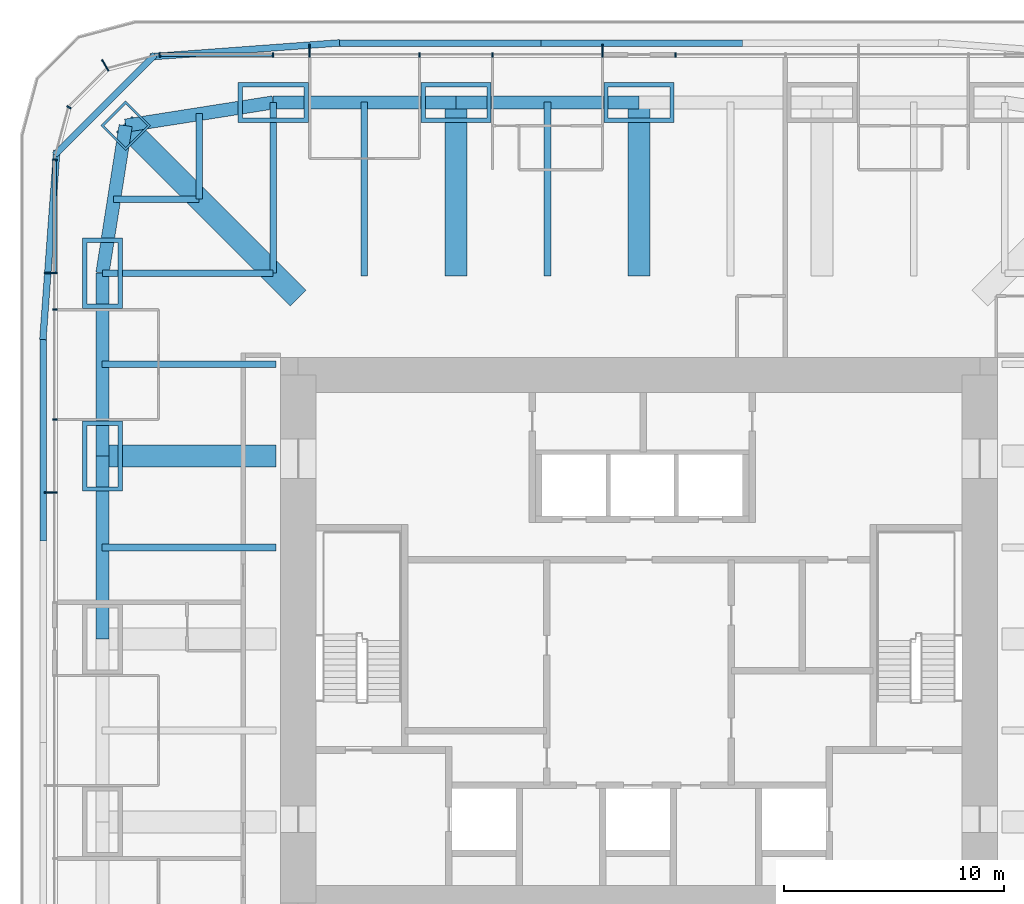
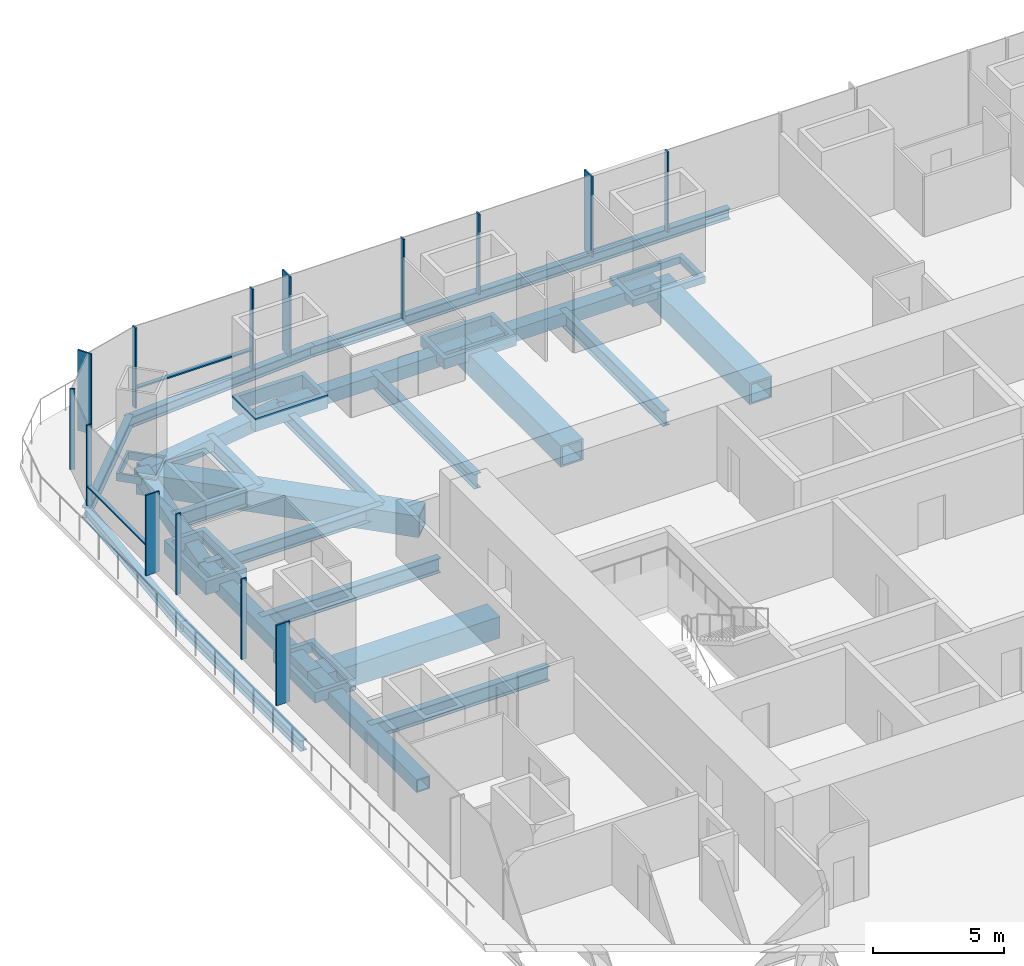
# One storey, part 5 of 15: 32 members, 14 beams, 3 elements without a shape of their own.
"""IFC4 building model written with IfcOpenShell, lengths in metres."""

from ifc_helpers import new_model, si_unit, direction, frame, origin, origin_2d, place, context, subcontext, project, spatial, rectangle, hollow_rectangle, i_section, extrude, material, material_profile, profile_set, type_object, element, aggregate, save


model = new_model("IFC4")

# Units and contexts
model_context = context("Model", 3, precision=1e-05, world=origin(), true_north=direction((0.0, 1.0)))
body_context = subcontext(model_context, "Body", "Model", "MODEL_VIEW")
ifc_project = project(units=[si_unit("LENGTHUNIT", "METRE"), si_unit("AREAUNIT", "SQUARE_METRE"), si_unit("VOLUMEUNIT", "CUBIC_METRE"), si_unit("PLANEANGLEUNIT", "RADIAN"), si_unit("MASSUNIT", "GRAM", prefix="KILO")], contexts=[model_context])

# Site, building, storey
site_placement = place(None, origin())
site = spatial("IfcSite", under=ifc_project, at=site_placement, CompositionType="ELEMENT")
building_placement = place(site_placement, origin())
building = spatial("IfcBuilding", under=site, at=building_placement, Name="Khuree Lantern Residences", CompositionType="ELEMENT")
storey_placement = place(building_placement, frame((0.0, 0.0, 199.5)))
storey = spatial("IfcBuildingStorey", under=building, at=storey_placement, Name="L49", CompositionType="ELEMENT", Elevation=199.5)

# Beams
ifc_material_1 = material(Name="Steel S355", Category="steel")
ifc_material_profile_1 = material_profile(ifc_material_1, i_section(OverallWidth=0.300048828125, OverallDepth=0.68994140625, WebThickness=0.014404296875, FlangeThickness=0.027099609375, FilletRadius=0.027099609375, at=origin_2d()), Name="HE 700 A")
ifc_profile_set_1 = profile_set([ifc_material_profile_1], Name="Steel S355")
beam_type_1 = type_object("IfcBeamType", Name="B-31 SECONDARY BEAM HE 700 A", PredefinedType="BEAM", material=ifc_profile_set_1)
for number, where, z_axis, x_axis, name in (
    (1, (-12.487548828125, 24.416015625, -0.594970703125), (0.0, -1.0, 0.0), (1.0, 0.0, 0.0), "Secondary beam N1"),
    (2, (-4.16259765625, 24.416015625, -0.594970703125), (0.0, -1.0, 0.0), (1.0, 0.0, 0.0), "Secondary beam N2"),
    (3, (-24.416015625, 4.16259765625, -0.594970703125), (1.0, 0.0, 0.0), (0.0, 1.0, 0.0), "Secondary beam W4"),
    (4, (-24.416015625, 12.487548828125, -0.594970703125), (1.0, 0.0, 0.0), (0.0, 1.0, 0.0), "Secondary beam W5"),
):
    element("IfcBeam", number, at=place(storey_placement, frame(where, z_axis=z_axis, x_axis=x_axis)), inside=storey, type_object=beam_type_1, Name=name, PredefinedType="BEAM", context=body_context, shape_type="SweptSolid", body=[
        extrude(i_section(OverallWidth=0.300048828125, OverallDepth=0.68994140625, WebThickness=0.014404296875, FlangeThickness=0.027099609375, FilletRadius=0.027099609375, at=origin_2d()), origin(), (0.0, 0.0, 1.0), 7.916015625),
    ])
for number, where, z_axis, x_axis, name in (
    (5, (-23.88818359375, 20.005126953125, -0.594970703125), (1.0, 0.0, 0.0), (0.0, 1.0, 0.0), "Secondary beam W6"),
    (6, (-20.005126953125, 23.88818359375, -0.594970703125), (0.0, -1.0, 0.0), (1.0, 0.0, 0.0), "Secondary beam N6"),
):
    element("IfcBeam", number, at=place(storey_placement, frame(where, z_axis=z_axis, x_axis=x_axis)), inside=storey, type_object=beam_type_1, Name=name, PredefinedType="BEAM", context=body_context, shape_type="SweptSolid", body=[
        extrude(i_section(OverallWidth=0.300048828125, OverallDepth=0.68994140625, WebThickness=0.014404296875, FlangeThickness=0.027099609375, FilletRadius=0.027099609375, at=origin_2d()), origin(), (0.0, 0.0, 1.0), 3.883056640625),
    ])

# Members
ifc_material_profile_2 = material_profile(ifc_material_1, hollow_rectangle(XDim=0.60009765625, YDim=0.60009765625, WallThickness=0.050048828125, at=origin_2d()), Name="WELDED BOX 600X600X50")
ifc_profile_set_2 = profile_set([ifc_material_profile_2], Name="Steel S355")
member_type_1 = type_object("IfcMemberType", Name="BT-49 BELT TRUSS CHORD WELDED BOX 600X600X50", PredefinedType="CHORD", material=ifc_profile_set_2)
member_1_placement = place(storey_placement, frame((-16.639892578125, 24.39990234375, -0.550048828125), z_axis=(1.0, 0.0, 0.0), x_axis=(0.0, 1.0, 0.0)))
element("IfcMember", 7, at=member_1_placement, inside=storey, type_object=member_type_1, Name="Belt truss chord N1", PredefinedType="CHORD", context=body_context, shape_type="SweptSolid", body=[
    extrude(hollow_rectangle(XDim=0.60009765625, YDim=0.60009765625, WallThickness=0.050048828125, at=origin_2d()), origin(), (0.0, 0.0, 1.0), 8.31982421875),
])
for number, where, z_axis, x_axis, name in (
    (8, (-8.320068359375, 24.39990234375, -0.550048828125), (1.0, 0.0, 0.0), (0.0, 1.0, 0.0), "Belt truss chord N2"),
    (9, (-24.39990234375, 0.0, -0.550048828125), (0.0, 1.0, 0.0), (-1.0, 0.0, 0.0), "Belt truss chord W4"),
):
    element("IfcMember", number, at=place(storey_placement, frame(where, z_axis=z_axis, x_axis=x_axis)), inside=storey, type_object=member_type_1, Name=name, PredefinedType="CHORD", context=body_context, shape_type="SweptSolid", body=[
        extrude(hollow_rectangle(XDim=0.60009765625, YDim=0.60009765625, WallThickness=0.050048828125, at=origin_2d()), origin(), (0.0, 0.0, 1.0), 8.320068359375),
    ])
member_2_placement = place(storey_placement, frame((-24.39990234375, 8.320068359375, -0.550048828125), z_axis=(0.0, 1.0, 0.0), x_axis=(-1.0, 0.0, 0.0)))
element("IfcMember", 10, at=member_2_placement, inside=storey, type_object=member_type_1, Name="Belt truss chord W5", PredefinedType="CHORD", context=body_context, shape_type="SweptSolid", body=[
    extrude(hollow_rectangle(XDim=0.60009765625, YDim=0.60009765625, WallThickness=0.050048828125, at=origin_2d()), origin(), (0.0, 0.0, 1.0), 8.31982421875),
])
for number, where, z_axis, x_axis, name in (
    (11, (-24.39990234375, 16.639892578125, -0.550048828125), (0.155299507442, 0.98786743189, 0.0), (-0.98786743189, 0.155299507442, 0.0), "Belt truss chord W6"),
    (12, (-23.345703125, 23.345703125, -0.550048828125), (0.98786743189, 0.155299507442, 0.0), (-0.155299507442, 0.98786743189, 0.0), "Belt truss chord N6"),
):
    element("IfcMember", number, at=place(storey_placement, frame(where, z_axis=z_axis, x_axis=x_axis)), inside=storey, type_object=member_type_1, Name=name, PredefinedType="CHORD", context=body_context, shape_type="SweptSolid", body=[
        extrude(hollow_rectangle(XDim=0.60009765625, YDim=0.60009765625, WallThickness=0.050048828125, at=origin_2d()), origin(), (0.0, 0.0, 1.0), 6.7880859375),
    ])

# Curtain wall, members
ifc_material_2 = material(Name="Bronze anodised aluminium", Category="aluminium")
curtain_wall_type_1 = type_object("IfcCurtainWallType", Name="CW-T1 TOWER FACE CURTAIN WALL", PredefinedType="USERDEFINED", material=ifc_material_2)
curtain_wall_1_placement = place(storey_placement, origin())
curtain_wall_1 = element("IfcCurtainWall", 13, at=curtain_wall_1_placement, inside=storey, type_object=curtain_wall_type_1, Name="L49 NORTH FACE CURTAIN WALL", ObjectType="Stick-built curtain wall", PredefinedType="USERDEFINED")
ifc_material_profile_3 = material_profile(ifc_material_2, rectangle(XDim=0.06494140625, YDim=0.60009765625, at=origin_2d()), Name="F1 65X600")
ifc_profile_set_3 = profile_set([ifc_material_profile_3], Name="Bronze anodised aluminium")
member_type_2 = type_object("IfcMemberType", Name="F1 BRONZE FIN MULLION TOWER 65X600", PredefinedType="MULLION", material=ifc_profile_set_3)
member_3_placement = place(storey_placement, frame((-1.6640625, 26.75, 0.0), z_axis=(0.0, 0.0, 1.0), x_axis=(-1.0, 0.0, 0.0)))
member_3 = element("IfcMember", 14, at=member_3_placement, type_object=member_type_2, Name="L49 NORTH FACE FIN MULLION 24", PredefinedType="MULLION", context=body_context, shape_type="SweptSolid", body=[
    extrude(rectangle(XDim=0.06494140625, YDim=0.60009765625, at=origin_2d()), origin(), (0.0, 0.0, 1.0), 3.75),
])
member_4_placement = place(storey_placement, frame((-14.97607421875, 26.75, 0.0), z_axis=(0.0, 0.0, 1.0), x_axis=(-1.0, 0.0, 0.0)))
member_4 = element("IfcMember", 15, at=member_4_placement, type_object=member_type_2, Name="L49 NORTH FACE FIN MULLION 27", PredefinedType="MULLION", context=body_context, shape_type="SweptSolid", body=[
    extrude(rectangle(XDim=0.06494140625, YDim=0.60009765625, at=origin_2d()), origin(), (0.0, 0.0, 1.0), 3.75),
])

# Curtain wall, member
curtain_wall_type_2 = type_object("IfcCurtainWallType", Name="CW-T2 TOWER CORNER CURTAIN WALL", PredefinedType="USERDEFINED", material=ifc_material_2)
curtain_wall_2_placement = place(storey_placement, origin())
curtain_wall_2 = element("IfcCurtainWall", 16, at=curtain_wall_2_placement, inside=storey, type_object=curtain_wall_type_2, Name="L49 NORTH-WEST CORNER CURTAIN WALL", ObjectType="Faceted corner curtain wall", PredefinedType="USERDEFINED")
member_5_placement = place(storey_placement, frame((-24.27490234375, 26.0869140625, 0.0), z_axis=(0.0, 0.0, 1.0), x_axis=(-0.866025409797, -0.499999989586, 0.0)))
member_5 = element("IfcMember", 17, at=member_5_placement, type_object=member_type_2, Name="L49 NORTH-WEST CORNER FIN MULLION 30", PredefinedType="MULLION", context=body_context, shape_type="SweptSolid", body=[
    extrude(rectangle(XDim=0.06494140625, YDim=0.60009765625, at=origin_2d()), origin(), (0.0, 0.0, 1.0), 3.75),
])

# Curtain wall, members
curtain_wall_3_placement = place(storey_placement, origin())
curtain_wall_3 = element("IfcCurtainWall", 18, at=curtain_wall_3_placement, inside=storey, type_object=curtain_wall_type_1, Name="L49 WEST FACE CURTAIN WALL", ObjectType="Stick-built curtain wall", PredefinedType="USERDEFINED")
member_6_placement = place(storey_placement, frame((-26.75, 16.639892578125, 0.0), z_axis=(0.0, 0.0, 1.0), x_axis=(0.0, -1.0, 0.0)))
member_6 = element("IfcMember", 19, at=member_6_placement, type_object=member_type_2, Name="L49 WEST FACE FIN MULLION 33", PredefinedType="MULLION", context=body_context, shape_type="SweptSolid", body=[
    extrude(rectangle(XDim=0.06494140625, YDim=0.60009765625, at=origin_2d()), origin(), (0.0, 0.0, 1.0), 3.75),
])
member_7_placement = place(storey_placement, frame((-26.75, 6.656005859375, 0.0), z_axis=(0.0, 0.0, 1.0), x_axis=(0.0, -1.0, 0.0)))
member_7 = element("IfcMember", 20, at=member_7_placement, type_object=member_type_2, Name="L49 WEST FACE FIN MULLION 36", PredefinedType="MULLION", context=body_context, shape_type="SweptSolid", body=[
    extrude(rectangle(XDim=0.06494140625, YDim=0.60009765625, at=origin_2d()), origin(), (0.0, 0.0, 1.0), 3.75),
])

# Beams
ifc_material_profile_4 = material_profile(ifc_material_1, i_section(OverallWidth=0.300048828125, OverallDepth=0.60009765625, WebThickness=0.015380859375, FlangeThickness=0.030029296875, FilletRadius=0.027099609375, at=origin_2d()), Name="HE 600 B")
ifc_profile_set_4 = profile_set([ifc_material_profile_4], Name="Steel S355")
beam_type_2 = type_object("IfcBeamType", Name="G-31 GIRDER HE 600 B", PredefinedType="BEAM", material=ifc_profile_set_4)
for number, where, z_axis, x_axis, name in (
    (21, (-16.639892578125, 24.39990234375, -0.550048828125), (0.0, -1.0, 0.0), (1.0, 0.0, 0.0), "Girder N1"),
    (22, (-24.39990234375, 16.639892578125, -0.550048828125), (1.0, 0.0, 0.0), (0.0, 1.0, 0.0), "Girder W5"),
):
    element("IfcBeam", number, at=place(storey_placement, frame(where, z_axis=z_axis, x_axis=x_axis)), inside=storey, type_object=beam_type_2, Name=name, PredefinedType="BEAM", context=body_context, shape_type="SweptSolid", body=[
        extrude(i_section(OverallWidth=0.300048828125, OverallDepth=0.60009765625, WebThickness=0.015380859375, FlangeThickness=0.030029296875, FilletRadius=0.027099609375, at=origin_2d()), origin(), (0.0, 0.0, 1.0), 7.760009765625),
    ])

# Member
ifc_material_profile_5 = material_profile(ifc_material_2, rectangle(XDim=0.06494140625, YDim=0.219970703125, at=origin_2d()), Name="M1 65X220")
ifc_profile_set_5 = profile_set([ifc_material_profile_5], Name="Bronze anodised aluminium")
member_type_3 = type_object("IfcMemberType", Name="M1 BRONZE MULLION TOWER 65X220", PredefinedType="MULLION", material=ifc_profile_set_5)
member_8_placement = place(storey_placement, frame((1.6640625, 26.56005859375, 0.0), z_axis=(0.0, 0.0, 1.0), x_axis=(-1.0, 0.0, 0.0)))
member_8 = element("IfcMember", 23, at=member_8_placement, type_object=member_type_3, Name="L49 NORTH FACE MULLION 23", PredefinedType="MULLION", context=body_context, shape_type="SweptSolid", body=[
    extrude(rectangle(XDim=0.06494140625, YDim=0.219970703125, at=origin_2d()), origin(), (0.0, 0.0, 1.0), 3.75),
])

member_9_placement = place(storey_placement, frame((-6.656005859375, 26.56005859375, 0.0), z_axis=(0.0, 0.0, 1.0), x_axis=(-1.0, 0.0, 0.0)))
member_9 = element("IfcMember", 24, at=member_9_placement, type_object=member_type_3, Name="L49 NORTH FACE MULLION 25", PredefinedType="MULLION", context=body_context, shape_type="SweptSolid", body=[
    extrude(rectangle(XDim=0.06494140625, YDim=0.219970703125, at=origin_2d()), origin(), (0.0, 0.0, 1.0), 3.75),
])

member_10_placement = place(storey_placement, frame((-9.98388671875, 26.56005859375, 0.0), z_axis=(0.0, 0.0, 1.0), x_axis=(-1.0, 0.0, 0.0)))
member_10 = element("IfcMember", 25, at=member_10_placement, type_object=member_type_3, Name="L49 NORTH FACE MULLION 26", PredefinedType="MULLION", context=body_context, shape_type="SweptSolid", body=[
    extrude(rectangle(XDim=0.06494140625, YDim=0.219970703125, at=origin_2d()), origin(), (0.0, 0.0, 1.0), 3.75),
])

member_11_placement = place(storey_placement, frame((-16.639892578125, 26.56005859375, 0.0), z_axis=(0.0, 0.0, 1.0), x_axis=(-1.0, 0.0, 0.0)))
member_11 = element("IfcMember", 26, at=member_11_placement, type_object=member_type_3, Name="L49 NORTH FACE MULLION 28", PredefinedType="MULLION", context=body_context, shape_type="SweptSolid", body=[
    extrude(rectangle(XDim=0.06494140625, YDim=0.219970703125, at=origin_2d()), origin(), (0.0, 0.0, 1.0), 3.75),
])

member_12_placement = place(storey_placement, frame((-21.794921875, 26.561767578125, 0.0), z_axis=(0.0, 0.0, 1.0), x_axis=(-0.991444862943, -0.130526180298, 0.0)))
member_12 = element("IfcMember", 27, at=member_12_placement, type_object=member_type_3, Name="L49 NORTH-WEST CORNER MULLION 29", PredefinedType="MULLION", context=body_context, shape_type="SweptSolid", body=[
    extrude(rectangle(XDim=0.06494140625, YDim=0.219970703125, at=origin_2d()), origin(), (0.0, 0.0, 1.0), 3.75),
])

member_13_placement = place(storey_placement, frame((-25.92236328125, 24.179931640625, 0.0), z_axis=(0.0, 0.0, 1.0), x_axis=(-0.499999989586, -0.866025409797, 0.0)))
member_13 = element("IfcMember", 28, at=member_13_placement, type_object=member_type_3, Name="L49 NORTH-WEST CORNER MULLION 31", PredefinedType="MULLION", context=body_context, shape_type="SweptSolid", body=[
    extrude(rectangle(XDim=0.06494140625, YDim=0.219970703125, at=origin_2d()), origin(), (0.0, 0.0, 1.0), 3.75),
])

aggregate(curtain_wall_2, [member_12, member_5, member_13])

member_14_placement = place(storey_placement, frame((-26.561767578125, 21.794921875, 0.0), z_axis=(0.0, 0.0, 1.0), x_axis=(-0.130526180298, -0.991444862943, 0.0)))
member_14 = element("IfcMember", 29, at=member_14_placement, type_object=member_type_3, Name="L49 WEST FACE MULLION 32", PredefinedType="MULLION", context=body_context, shape_type="SweptSolid", body=[
    extrude(rectangle(XDim=0.06494140625, YDim=0.219970703125, at=origin_2d()), origin(), (0.0, 0.0, 1.0), 3.75),
])

member_15_placement = place(storey_placement, frame((-26.56005859375, 14.97607421875, 0.0), z_axis=(0.0, 0.0, 1.0), x_axis=(0.0, -1.0, 0.0)))
member_15 = element("IfcMember", 30, at=member_15_placement, type_object=member_type_3, Name="L49 WEST FACE MULLION 34", PredefinedType="MULLION", context=body_context, shape_type="SweptSolid", body=[
    extrude(rectangle(XDim=0.06494140625, YDim=0.219970703125, at=origin_2d()), origin(), (0.0, 0.0, 1.0), 3.75),
])

member_16_placement = place(storey_placement, frame((-26.56005859375, 9.98388671875, 0.0), z_axis=(0.0, 0.0, 1.0), x_axis=(0.0, -1.0, 0.0)))
member_16 = element("IfcMember", 31, at=member_16_placement, type_object=member_type_3, Name="L49 WEST FACE MULLION 35", PredefinedType="MULLION", context=body_context, shape_type="SweptSolid", body=[
    extrude(rectangle(XDim=0.06494140625, YDim=0.219970703125, at=origin_2d()), origin(), (0.0, 0.0, 1.0), 3.75),
])

# Members
ifc_material_3 = material(Name="Steel S355 CFT welded box", Category="steel")
ifc_material_profile_6 = material_profile(ifc_material_3, hollow_rectangle(XDim=3.199951171875, YDim=1.800048828125, WallThickness=0.199951171875, at=origin_2d()), Name="WELDED BOX 3200X1800X200")
ifc_profile_set_6 = profile_set([ifc_material_profile_6], Name="Steel S355 CFT welded box")
member_type_4 = type_object("IfcMemberType", Name="MN MEGA COLUMN NODE WELDED BOX 3200X1800X200", PredefinedType="MEMBER", material=ifc_profile_set_6)
member_17_placement = place(storey_placement, frame((-16.639892578125, 24.39990234375, -0.550048828125), z_axis=(0.0, 0.0, 1.0), x_axis=(1.0, 0.0, 0.0)))
element("IfcMember", 32, at=member_17_placement, inside=storey, type_object=member_type_4, Name="Mega column node N1", PredefinedType="MEMBER", context=body_context, shape_type="SweptSolid", body=[
    extrude(hollow_rectangle(XDim=3.199951171875, YDim=1.800048828125, WallThickness=0.199951171875, at=origin_2d()), origin(), (0.0, 0.0, 1.0), 0.630126953125),
])
member_18_placement = place(storey_placement, frame((-8.320068359375, 24.39990234375, -0.550048828125), z_axis=(0.0, 0.0, 1.0), x_axis=(1.0, 0.0, 0.0)))
element("IfcMember", 33, at=member_18_placement, inside=storey, type_object=member_type_4, Name="Mega column node N2", PredefinedType="MEMBER", context=body_context, shape_type="SweptSolid", body=[
    extrude(hollow_rectangle(XDim=3.199951171875, YDim=1.800048828125, WallThickness=0.199951171875, at=origin_2d()), origin(), (0.0, 0.0, 1.0), 0.47998046875),
])
member_19_placement = place(storey_placement, frame((0.0, 24.39990234375, -0.550048828125), z_axis=(0.0, 0.0, 1.0), x_axis=(1.0, 0.0, 0.0)))
element("IfcMember", 34, at=member_19_placement, inside=storey, type_object=member_type_4, Name="Mega column node N3", PredefinedType="MEMBER", context=body_context, shape_type="SweptSolid", body=[
    extrude(hollow_rectangle(XDim=3.199951171875, YDim=1.800048828125, WallThickness=0.199951171875, at=origin_2d()), origin(), (0.0, 0.0, 1.0), 0.320068359375),
])
member_20_placement = place(storey_placement, frame((-24.39990234375, 8.320068359375, -0.550048828125), z_axis=(0.0, 0.0, 1.0), x_axis=(0.0, 1.0, 0.0)))
element("IfcMember", 35, at=member_20_placement, inside=storey, type_object=member_type_4, Name="Mega column node W4", PredefinedType="MEMBER", context=body_context, shape_type="SweptSolid", body=[
    extrude(hollow_rectangle(XDim=3.199951171875, YDim=1.800048828125, WallThickness=0.199951171875, at=origin_2d()), origin(), (0.0, 0.0, 1.0), 0.47998046875),
])
member_21_placement = place(storey_placement, frame((-24.39990234375, 16.639892578125, -0.550048828125), z_axis=(0.0, 0.0, 1.0), x_axis=(0.0, 1.0, 0.0)))
element("IfcMember", 36, at=member_21_placement, inside=storey, type_object=member_type_4, Name="Mega column node W5", PredefinedType="MEMBER", context=body_context, shape_type="SweptSolid", body=[
    extrude(hollow_rectangle(XDim=3.199951171875, YDim=1.800048828125, WallThickness=0.199951171875, at=origin_2d()), origin(), (0.0, 0.0, 1.0), 0.630126953125),
])
ifc_material_profile_7 = material_profile(ifc_material_3, hollow_rectangle(XDim=1.60009765625, YDim=1.60009765625, WallThickness=0.10009765625, at=origin_2d()), Name="WELDED BOX 1600X1600X100")
ifc_profile_set_7 = profile_set([ifc_material_profile_7], Name="Steel S355 CFT welded box")
member_type_5 = type_object("IfcMemberType", Name="MNA MEGA COLUMN NODE WELDED BOX 1600X1600X100", PredefinedType="MEMBER", material=ifc_profile_set_7)
member_22_placement = place(storey_placement, frame((-23.345703125, 23.345703125, -0.550048828125), z_axis=(0.0, 0.0, 1.0), x_axis=(0.707106781187, 0.707106781187, 0.0)))
element("IfcMember", 37, at=member_22_placement, inside=storey, type_object=member_type_5, Name="Mega column node NW", PredefinedType="MEMBER", context=body_context, shape_type="SweptSolid", body=[
    extrude(hollow_rectangle(XDim=1.60009765625, YDim=1.60009765625, WallThickness=0.10009765625, at=origin_2d()), origin(), (0.0, 0.0, 1.0), 0.360107421875),
])
ifc_material_profile_8 = material_profile(ifc_material_1, hollow_rectangle(XDim=1.0, YDim=1.0, WallThickness=0.080078125, at=origin_2d()), Name="WELDED BOX 1000X1000X80")
ifc_profile_set_8 = profile_set([ifc_material_profile_8], Name="Steel S355")
member_type_6 = type_object("IfcMemberType", Name="OT-49 OUTRIGGER TRUSS CHORD WELDED BOX 1000X1000X80", PredefinedType="CHORD", material=ifc_profile_set_8)
for number, where, z_axis, x_axis, name in (
    (38, (-8.320068359375, 24.39990234375, -0.75), (0.0, -1.0, 0.0), (1.0, 0.0, 0.0), "Outrigger chord N2"),
    (39, (0.0, 24.39990234375, -0.75), (0.0, -1.0, 0.0), (1.0, 0.0, 0.0), "Outrigger chord N3"),
    (40, (-24.39990234375, 8.320068359375, -0.75), (1.0, 0.0, 0.0), (0.0, 1.0, 0.0), "Outrigger chord W4"),
):
    element("IfcMember", number, at=place(storey_placement, frame(where, z_axis=z_axis, x_axis=x_axis)), inside=storey, type_object=member_type_6, Name=name, PredefinedType="CHORD", context=body_context, shape_type="SweptSolid", body=[
        extrude(hollow_rectangle(XDim=1.0, YDim=1.0, WallThickness=0.080078125, at=origin_2d()), origin(), (0.0, 0.0, 1.0), 7.89990234375),
    ])
member_23_placement = place(storey_placement, frame((-23.412109375, 23.412109375, -0.75), z_axis=(0.707106781187, -0.707106781187, 0.0), x_axis=(0.707106781187, 0.707106781187, 0.0)))
element("IfcMember", 41, at=member_23_placement, inside=storey, type_object=member_type_6, Name="Outrigger chord NW", PredefinedType="CHORD", context=body_context, shape_type="SweptSolid", body=[
    extrude(hollow_rectangle(XDim=1.0, YDim=1.0, WallThickness=0.080078125, at=origin_2d()), origin(), (0.0, 0.0, 1.0), 11.189453125),
])

# Beams
ifc_material_profile_9 = material_profile(ifc_material_1, i_section(OverallWidth=0.300048828125, OverallDepth=0.5, WebThickness=0.014404296875, FlangeThickness=0.028076171875, FilletRadius=0.027099609375, at=origin_2d()), Name="HE 500 B")
ifc_profile_set_9 = profile_set([ifc_material_profile_9], Name="Steel S355")
beam_type_3 = type_object("IfcBeamType", Name="TB1 TERRACE EDGE BEAM HE 500 B", PredefinedType="BEAM", material=ifc_profile_set_9)
beam_1_placement = place(storey_placement, frame((-13.864990234375, 27.10009765625, -0.5), z_axis=(1.0, 0.0, 0.0), x_axis=(0.0, 1.0, 0.0)))
element("IfcBeam", 42, at=beam_1_placement, inside=storey, type_object=beam_type_3, Name="Terrace edge beam N1", PredefinedType="BEAM", context=body_context, shape_type="SweptSolid", body=[
    extrude(i_section(OverallWidth=0.300048828125, OverallDepth=0.5, WebThickness=0.014404296875, FlangeThickness=0.028076171875, FilletRadius=0.027099609375, at=origin_2d()), origin(), (0.0, 0.0, 1.0), 9.409912109375),
])
beam_2_placement = place(storey_placement, frame((-4.705078125, 27.10009765625, -0.5), z_axis=(1.0, 0.0, 0.0), x_axis=(0.0, 1.0, 0.0)))
element("IfcBeam", 43, at=beam_2_placement, inside=storey, type_object=beam_type_3, Name="Terrace edge beam N2", PredefinedType="BEAM", context=body_context, shape_type="SweptSolid", body=[
    extrude(i_section(OverallWidth=0.300048828125, OverallDepth=0.5, WebThickness=0.014404296875, FlangeThickness=0.028076171875, FilletRadius=0.027099609375, at=origin_2d()), origin(), (0.0, 0.0, 1.0), 9.41015625),
])
beam_3_placement = place(storey_placement, frame((-27.10009765625, 4.455078125, -0.5), z_axis=(0.0, 1.0, 0.0), x_axis=(-1.0, 0.0, 0.0)))
element("IfcBeam", 44, at=beam_3_placement, inside=storey, type_object=beam_type_3, Name="Terrace edge beam W4", PredefinedType="BEAM", context=body_context, shape_type="SweptSolid", body=[
    extrude(i_section(OverallWidth=0.300048828125, OverallDepth=0.5, WebThickness=0.014404296875, FlangeThickness=0.028076171875, FilletRadius=0.027099609375, at=origin_2d()), origin(), (0.0, 0.0, 1.0), 9.409912109375),
])
beam_4_placement = place(storey_placement, frame((-27.109130859375, 13.615234375, -0.5), z_axis=(0.073404704465, 0.997302235715, 0.0), x_axis=(-0.997302235715, 0.073404704465, 0.0)))
element("IfcBeam", 45, at=beam_4_placement, inside=storey, type_object=beam_type_3, Name="Terrace edge beam W5", PredefinedType="BEAM", context=body_context, shape_type="SweptSolid", body=[
    extrude(i_section(OverallWidth=0.300048828125, OverallDepth=0.5, WebThickness=0.014404296875, FlangeThickness=0.028076171875, FilletRadius=0.027099609375, at=origin_2d()), origin(), (0.0, 0.0, 1.0), 8.62744140625),
])
beam_5_placement = place(storey_placement, frame((-26.5732421875, 22.006591796875, -0.5), z_axis=(0.707106781187, 0.707106781187, 0.0), x_axis=(-0.707106781187, 0.707106781187, 0.0)))
element("IfcBeam", 46, at=beam_5_placement, inside=storey, type_object=beam_type_3, Name="Terrace edge beam W6", PredefinedType="BEAM", context=body_context, shape_type="SweptSolid", body=[
    extrude(i_section(OverallWidth=0.300048828125, OverallDepth=0.5, WebThickness=0.014404296875, FlangeThickness=0.028076171875, FilletRadius=0.027099609375, at=origin_2d()), origin(), (0.0, 0.0, 1.0), 6.458251953125),
])
beam_6_placement = place(storey_placement, frame((-22.219482421875, 26.475830078125, -0.5), z_axis=(0.997302235715, 0.073404704465, 0.0), x_axis=(-0.073404704465, 0.997302235715, 0.0)))
element("IfcBeam", 47, at=beam_6_placement, inside=storey, type_object=beam_type_3, Name="Terrace edge beam N6", PredefinedType="BEAM", context=body_context, shape_type="SweptSolid", body=[
    extrude(i_section(OverallWidth=0.300048828125, OverallDepth=0.5, WebThickness=0.014404296875, FlangeThickness=0.028076171875, FilletRadius=0.027099609375, at=origin_2d()), origin(), (0.0, 0.0, 1.0), 8.62744140625),
])

# Member
ifc_material_profile_10 = material_profile(ifc_material_2, rectangle(XDim=0.179931640625, YDim=0.06494140625, at=origin_2d()), Name="T1 180X65")
ifc_profile_set_10 = profile_set([ifc_material_profile_10], Name="Bronze anodised aluminium")
member_type_7 = type_object("IfcMemberType", Name="TRANSOM T1 TOWER 180X65", PredefinedType="USERDEFINED", material=ifc_profile_set_10)
member_24_placement = place(storey_placement, frame((-16.672607421875, 26.570068359375, 0.89990234375), z_axis=(-1.0, 0.0, 0.0), x_axis=(0.0, -1.0, 0.0)))
member_24 = element("IfcMember", 48, at=member_24_placement, type_object=member_type_7, Name="L49 NORTH FACE TRANSOM 28.1", ObjectType="Transom", PredefinedType="USERDEFINED", context=body_context, shape_type="SweptSolid", body=[
    extrude(rectangle(XDim=0.179931640625, YDim=0.06494140625, at=origin_2d()), origin(), (0.0, 0.0, 1.0), 5.078857421875),
])

aggregate(curtain_wall_1, [member_8, member_3, member_9, member_10, member_4, member_11, member_24])

member_25_placement = place(storey_placement, frame((-26.570068359375, 21.75146484375, 0.89990234375), z_axis=(0.0, -1.0, 0.0), x_axis=(1.0, 0.0, 0.0)))
member_25 = element("IfcMember", 49, at=member_25_placement, type_object=member_type_7, Name="L49 WEST FACE TRANSOM 32.1", ObjectType="Transom", PredefinedType="USERDEFINED", context=body_context, shape_type="SweptSolid", body=[
    extrude(rectangle(XDim=0.179931640625, YDim=0.06494140625, at=origin_2d()), origin(), (0.0, 0.0, 1.0), 5.078857421875),
])

aggregate(curtain_wall_3, [member_14, member_6, member_15, member_16, member_7, member_25])

save(model, "model.ifc")
